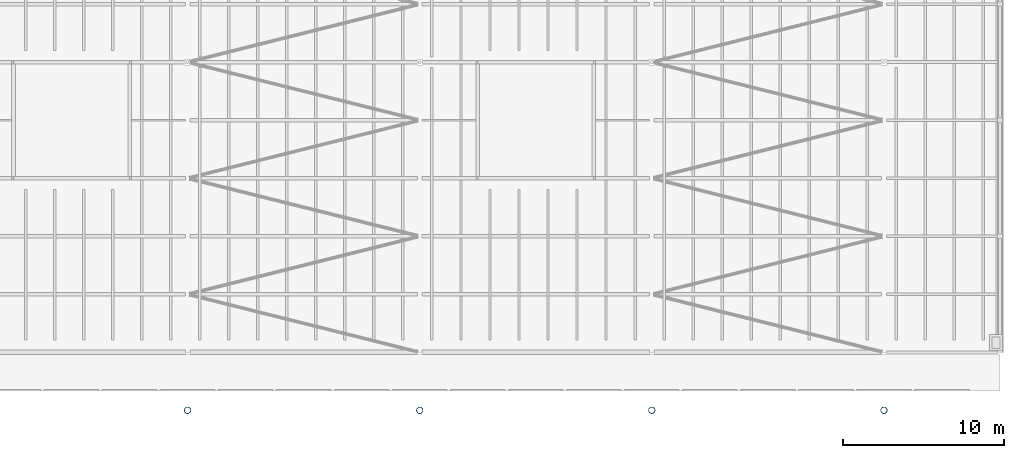
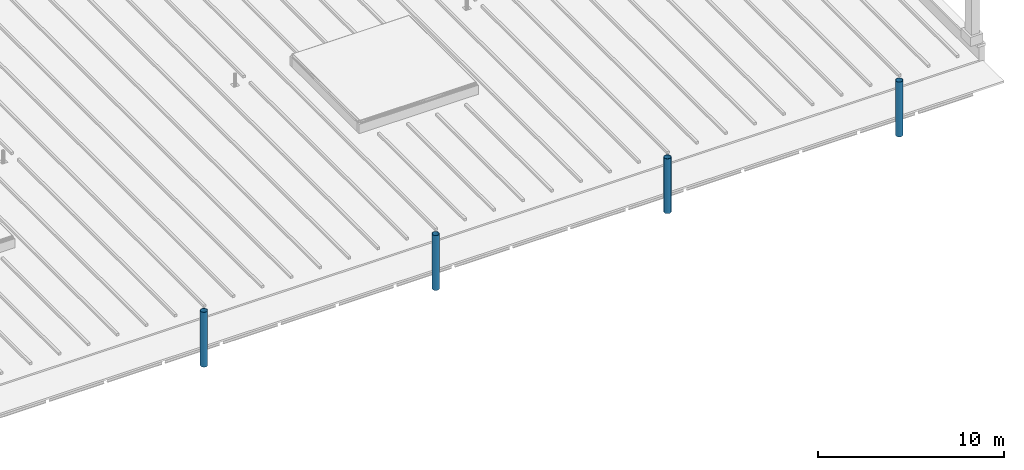
# One storey, part 10 of 120: 4 columns.
"""IFC4 building model written with IfcOpenShell, lengths in metres."""

from ifc_helpers import new_model, si_unit, direction, frame, origin, origin_2d, place, context, subcontext, project, spatial, hollow_circle, extrude, material, material_profile, profile_set, type_object, element, save


model = new_model("IFC4")

# Units and contexts
model_context = context("Model", 3, precision=1e-05, world=origin(), true_north=direction((0.0, 1.0)))
body_context = subcontext(model_context, "Body", "Model", "MODEL_VIEW")
ifc_project = project(units=[si_unit("LENGTHUNIT", "METRE"), si_unit("AREAUNIT", "SQUARE_METRE"), si_unit("VOLUMEUNIT", "CUBIC_METRE"), si_unit("PLANEANGLEUNIT", "RADIAN"), si_unit("MASSUNIT", "GRAM", prefix="KILO")], contexts=[model_context])

# Site, building, storey
site_placement = place(None, origin())
site = spatial("IfcSite", under=ifc_project, at=site_placement, CompositionType="ELEMENT")
building_placement = place(site_placement, origin())
building = spatial("IfcBuilding", under=site, at=building_placement, Name="Kupolbacken Congress Centre", CompositionType="ELEMENT")
storey_placement = place(building_placement, frame((0.0, 0.0, 21.60009765625)))
storey = spatial("IfcBuildingStorey", under=building, at=storey_placement, Name="L06", CompositionType="ELEMENT", Elevation=21.60009765625)

# Columns
ifc_material = material(Name="Steel S355", Category="steel")
ifc_material_profile = material_profile(ifc_material, hollow_circle(Radius=0.203125, WallThickness=0.01611328125, at=origin_2d()), Name="CHS 406.4 x 16")
ifc_profile_set = profile_set([ifc_material_profile], Name="Steel S355")
column_type = type_object("IfcColumnType", Name="C15 roof mast CHS 406.4 x 16", PredefinedType="COLUMN", material=ifc_profile_set)
for number, where, z_axis, x_axis, name in (
    (1, (151.199951171875, 39.60009765625, 0.0), (0.0, 0.0, 1.0), (1.0, 0.0, 0.0), "Roof mast M5S"),
    (2, (165.60009765625, 39.60009765625, 0.0), (0.0, 0.0, 1.0), (1.0, 0.0, 0.0), "Roof mast M6S"),
    (3, (180.0, 39.60009765625, 0.0), (0.0, 0.0, 1.0), (1.0, 0.0, 0.0), "Roof mast M7S"),
    (4, (194.39990234375, 39.60009765625, 0.0), (0.0, 0.0, 1.0), (1.0, 0.0, 0.0), "Roof mast M8S"),
):
    element("IfcColumn", number, at=place(storey_placement, frame(where, z_axis=z_axis, x_axis=x_axis)), inside=storey, type_object=column_type, Name=name, PredefinedType="COLUMN", context=body_context, shape_type="SweptSolid", body=[
        extrude(hollow_circle(Radius=0.203125, WallThickness=0.01611328125, at=origin_2d()), origin(), (0.0, 0.0, 1.0), 3.599853515625),
    ])

save(model, "model.ifc")
